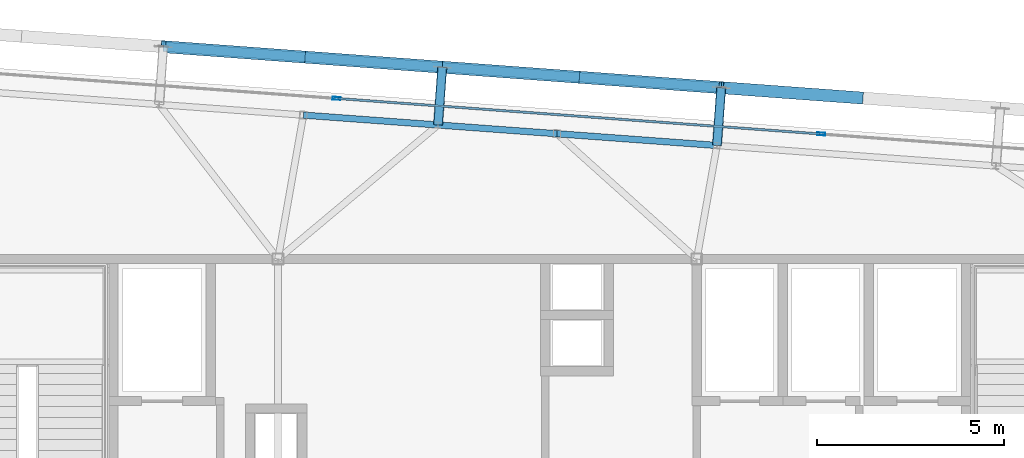
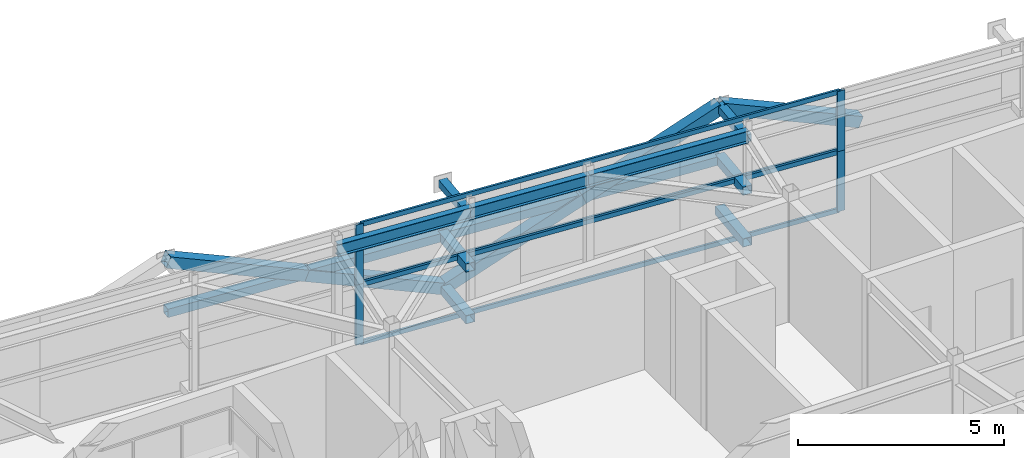
# One storey, part 21 of 35: 21 members, 3 beams, 2 elements without a shape of their own.
"""IFC4 building model written with IfcOpenShell, lengths in metres."""

from ifc_helpers import new_model, si_unit, direction, frame, origin, origin_2d, place, context, subcontext, project, spatial, hollow_rectangle, i_section, extrude, source, transform, mapped, material, layer, layer_set, material_profile, profile_set, type_object, element, aggregate, save


model = new_model("IFC4")

# Units and contexts
model_context = context("Model", 3, precision=1e-05, world=origin(), true_north=direction((0.0, 1.0)))
body_context = subcontext(model_context, "Body", "Model", "MODEL_VIEW")
ifc_project = project(units=[si_unit("LENGTHUNIT", "METRE"), si_unit("AREAUNIT", "SQUARE_METRE"), si_unit("VOLUMEUNIT", "CUBIC_METRE"), si_unit("PLANEANGLEUNIT", "RADIAN"), si_unit("MASSUNIT", "GRAM", prefix="KILO")], contexts=[model_context])

# Site, building, storey
site_placement = place(None, origin())
site = spatial("IfcSite", under=ifc_project, at=site_placement, CompositionType="ELEMENT")
building_placement = place(site_placement, origin())
building = spatial("IfcBuilding", under=site, at=building_placement, Name="Taldren Reach Tower", CompositionType="ELEMENT")
storey_placement = place(building_placement, frame((0.0, 0.0, 249.199951171875)))
storey = spatial("IfcBuildingStorey", under=building, at=storey_placement, Name="L76", CompositionType="ELEMENT", Elevation=249.199951171875)

# Members
ifc_material_1 = material(Name="Steel Gr 350 (C350L0)", Category="steel")
ifc_material_profile_1 = material_profile(ifc_material_1, hollow_rectangle(XDim=0.25, YDim=0.25, WallThickness=0.010009765625, at=origin_2d()), Name="250x250x10.0SHS")
ifc_profile_set_1 = profile_set([ifc_material_profile_1], Name="Steel Gr 350 (C350L0)")
member_type_1 = type_object("IfcMemberType", Name="MB-POST250", PredefinedType="POST", material=ifc_profile_set_1)
shared_shape_1 = source(origin(), body_context, "Body", "SweptSolid", [
    extrude(hollow_rectangle(XDim=0.25, YDim=0.25, WallThickness=0.010009765625, at=origin_2d()), origin(), (0.0, 0.0, 1.0), 1.550048828125),
])
for number, where, z_axis, x_axis, name in (
    (1, (32.279541015625, 35.583251953125, 0.219970703125), (0.07323929162, 0.997314396849, 0.0), (-0.997314396849, 0.07323929162, 0.0), "Exoskeleton base diaphragm tie strut B5-N3 L76"),
    (2, (39.739501953125, 35.035400390625, 0.219970703125), (0.07323929162, 0.997314396849, 0.0), (-0.997314396849, 0.07323929162, 0.0), "Exoskeleton base diaphragm tie strut B5-N4 L76"),
    (3, (32.279541015625, 35.583251953125, 1.755126953125), (0.07323929162, 0.997314396849, 0.0), (-0.997314396849, 0.07323929162, 0.0), "Exoskeleton mid-tier diaphragm tie B5-N3 L76"),
    (4, (39.739501953125, 35.035400390625, 1.755126953125), (0.07323929162, 0.997314396849, 0.0), (-0.997314396849, 0.07323929162, 0.0), "Exoskeleton mid-tier diaphragm tie B5-N4 L76"),
):
    element("IfcMember", number, at=place(storey_placement, frame(where, z_axis=z_axis, x_axis=x_axis)), inside=storey, type_object=member_type_1, Name=name, PredefinedType="POST", context=body_context, shape_type="MappedRepresentation", body=[
        mapped(shared_shape_1, transform((0.0, 0.0, 0.0), scale=1.0)),
    ])
ifc_material_2 = material(Name="Steel Gr 450 (C450L0)", Category="steel")
ifc_material_profile_2 = material_profile(ifc_material_2, hollow_rectangle(XDim=0.219970703125, YDim=0.219970703125, WallThickness=0.00830078125, at=origin_2d()), Name="220x220x8.2SHS")
ifc_profile_set_2 = profile_set([ifc_material_profile_2], Name="Steel Gr 450 (C450L0)")
member_type_2 = type_object("IfcMemberType", Name="MB-TIE219", PredefinedType="STRUT", material=ifc_profile_set_2)
shared_shape_2 = source(origin(), body_context, "Body", "SweptSolid", [
    extrude(hollow_rectangle(XDim=0.219970703125, YDim=0.219970703125, WallThickness=0.00830078125, at=origin_2d()), origin(), (0.0, 0.0, 1.0), 1.550048828125),
])
for number, where, z_axis, x_axis, name in (
    (5, (32.279541015625, 35.583251953125, 3.2900390625), (0.07323929162, 0.997314396849, 0.0), (-0.997314396849, 0.07323929162, 0.0), "Exoskeleton diaphragm tie strut B5-N3 L76"),
    (6, (39.739501953125, 35.035400390625, 3.2900390625), (0.07323929162, 0.997314396849, 0.0), (-0.997314396849, 0.07323929162, 0.0), "Exoskeleton diaphragm tie strut B5-N4 L76"),
):
    element("IfcMember", number, at=place(storey_placement, frame(where, z_axis=z_axis, x_axis=x_axis)), inside=storey, type_object=member_type_2, Name=name, PredefinedType="STRUT", context=body_context, shape_type="MappedRepresentation", body=[
        mapped(shared_shape_2, transform((0.0, 0.0, 0.0), scale=1.0)),
    ])

# Beams
ifc_material_3 = material(Name="Steel Gr 350 (350PLUS)", Category="steel")
ifc_material_profile_3 = material_profile(ifc_material_3, i_section(OverallWidth=0.172119140625, OverallDepth=0.35888671875, WebThickness=0.008056640625, FlangeThickness=0.012939453125, at=origin_2d()), Name="360UB56.7")
ifc_profile_set_3 = profile_set([ifc_material_profile_3], Name="Steel Gr 350 (350PLUS)")
beam_type = type_object("IfcBeamType", Name="SP-UB360", PredefinedType="SPANDREL", material=ifc_profile_set_3)
shared_shape_3 = source(origin(), body_context, "Body", "SweptSolid", [
    extrude(i_section(OverallWidth=0.172119140625, OverallDepth=0.35888671875, WebThickness=0.008056640625, FlangeThickness=0.012939453125, at=origin_2d()), origin(), (0.0, 0.0, 1.0), 4.2900390625),
])
beam_1_placement = place(storey_placement, frame((39.739501953125, 35.035400390625, 3.390625), z_axis=(-0.997314292471, 0.073240712948, 0.0), x_axis=(-0.073240712948, -0.997314292471, 0.0)))
element("IfcBeam", 7, at=beam_1_placement, inside=storey, type_object=beam_type, Name="Perimeter spandrel B5 N4-PJN2 L76", PredefinedType="SPANDREL", context=body_context, shape_type="MappedRepresentation", body=[
    mapped(shared_shape_3, transform((0.0, 0.0, 0.0), scale=1.0)),
])
shared_shape_4 = source(origin(), body_context, "Body", "SweptSolid", [
    extrude(i_section(OverallWidth=0.172119140625, OverallDepth=0.35888671875, WebThickness=0.008056640625, FlangeThickness=0.012939453125, at=origin_2d()), origin(), (0.0, 0.0, 1.0), 3.18994140625),
])
beam_2_placement = place(storey_placement, frame((35.4609375, 35.349609375, 3.390625), z_axis=(-0.99731412404, 0.073243006424, 0.0), x_axis=(-0.073243006424, -0.99731412404, 0.0)))
element("IfcBeam", 8, at=beam_2_placement, inside=storey, type_object=beam_type, Name="Perimeter spandrel B5 PJN2-N3 L76", PredefinedType="SPANDREL", context=body_context, shape_type="MappedRepresentation", body=[
    mapped(shared_shape_4, transform((0.0, 0.0, 0.0), scale=1.0)),
])
shared_shape_5 = source(origin(), body_context, "Body", "SweptSolid", [
    extrude(i_section(OverallWidth=0.172119140625, OverallDepth=0.35888671875, WebThickness=0.008056640625, FlangeThickness=0.012939453125, at=origin_2d()), origin(), (0.0, 0.0, 1.0), 3.610107421875),
])
beam_3_placement = place(storey_placement, frame((32.279541015625, 35.583251953125, 3.390625), z_axis=(-0.997314240042, 0.073241426864, 0.0), x_axis=(-0.073241426864, -0.997314240042, 0.0)))
element("IfcBeam", 9, at=beam_3_placement, inside=storey, type_object=beam_type, Name="Perimeter spandrel B5 N3-PJN1 L76", PredefinedType="SPANDREL", context=body_context, shape_type="MappedRepresentation", body=[
    mapped(shared_shape_5, transform((0.0, 0.0, 0.0), scale=1.0)),
])

# Members
shared_shape_6 = source(origin(), body_context, "Body", "SweptSolid", [
    extrude(hollow_rectangle(XDim=0.25, YDim=0.25, WallThickness=0.010009765625, at=origin_2d()), origin(), (0.0, 0.0, 1.0), 7.47998046875),
])
for number, where, z_axis, x_axis, name in (
    (10, (24.93310546875, 37.677001953125, 1.755126953125), (0.997314220642, -0.07324169103, 0.0), (0.07324169103, 0.997314220642, 0.0), "Exoskeleton mid-height ring chord B5-N2 L76"),
    (11, (32.39306640625, 37.129150390625, 1.755126953125), (0.997314220642, -0.07324169103, 0.0), (0.07324169103, 0.997314220642, 0.0), "Exoskeleton mid-height ring chord B5-N3 L76"),
):
    element("IfcMember", number, at=place(storey_placement, frame(where, z_axis=z_axis, x_axis=x_axis)), inside=storey, type_object=member_type_1, Name=name, PredefinedType="POST", context=body_context, shape_type="MappedRepresentation", body=[
        mapped(shared_shape_6, transform((0.0, 0.0, 0.0), scale=1.0)),
    ])
ifc_material_profile_4 = material_profile(ifc_material_2, hollow_rectangle(XDim=0.324951171875, YDim=0.324951171875, WallThickness=0.0126953125, at=origin_2d()), Name="325x325x12.7SHS")
ifc_profile_set_4 = profile_set([ifc_material_profile_4], Name="Steel Gr 450 (C450L0)")
member_type_3 = type_object("IfcMemberType", Name="MB-BR324", PredefinedType="BRACE", material=ifc_profile_set_4)
shared_shape_7 = source(origin(), body_context, "Body", "SweptSolid", [
    extrude(hollow_rectangle(XDim=0.324951171875, YDim=0.324951171875, WallThickness=0.0126953125, at=origin_2d()), origin(), (0.0, 0.0, 1.0), 4.042724609375),
])
for number, where, z_axis, x_axis, name in (
    (12, (32.39306640625, 37.129150390625, 0.219970703125), (-0.922615641565, 0.067755907176, 0.37972294503), (-0.07324169103, -0.997314220642, 0.0), "Exoskeleton Diagrid Brace B5-N2 L76"),
    (13, (28.6630859375, 37.403076171875, 1.755126953125), (-0.92263679702, 0.06775746081, 0.379671262133), (-0.07324169103, -0.997314220642, 0.0), "Exoskeleton Diagrid Brace B5-N2 L76"),
    (14, (32.39306640625, 37.129150390625, 0.219970703125), (0.922615641565, -0.067755907176, 0.37972294503), (0.07324169103, 0.997314220642, 0.0), "Exoskeleton Diagrid Brace B5-N3 L76"),
    (15, (36.123046875, 36.855224609375, 1.755126953125), (0.92263679702, -0.06775746081, 0.379671262133), (0.07324169103, 0.997314220642, 0.0), "Exoskeleton Diagrid Brace B5-N3 L76"),
    (16, (43.5830078125, 36.307373046875, 1.755126953125), (-0.92263679702, 0.06775746081, 0.379671262133), (-0.07324169103, -0.997314220642, 0.0), "Exoskeleton Diagrid Brace B5-N4 L76"),
):
    element("IfcMember", number, at=place(storey_placement, frame(where, z_axis=z_axis, x_axis=x_axis)), inside=storey, type_object=member_type_3, Name=name, PredefinedType="BRACE", context=body_context, shape_type="MappedRepresentation", body=[
        mapped(shared_shape_7, transform((0.0, 0.0, 0.0), scale=1.0)),
    ])

# Curtain wall, members
ifc_material_4 = material(Name="Aluminium and Low-E Glass Unitised System", Category="aluminium")
ifc_layer = layer(ifc_material_4, 0.159912109375)
ifc_layer_set = layer_set([ifc_layer], Name="Aluminium and Low-E Glass Unitised System")
curtain_wall_type = type_object("IfcCurtainWallType", Name="CW-SYS-6", PredefinedType="NOTDEFINED", material=ifc_layer_set)
curtain_wall_1_placement = place(storey_placement, origin())
curtain_wall_1 = element("IfcCurtainWall", 17, at=curtain_wall_1_placement, inside=storey, type_object=curtain_wall_type, Name="Unitised curtain wall CW-L76-N", PredefinedType="NOTDEFINED")
ifc_material_5 = material(Name="Anodised Aluminium 6063-T6", Category="aluminium")
ifc_material_profile_5 = material_profile(ifc_material_5, hollow_rectangle(XDim=0.06005859375, YDim=0.135009765625, WallThickness=0.00341796875, at=origin_2d()), Name="ALU-135x60x3.5RHS")
ifc_profile_set_5 = profile_set([ifc_material_profile_5], Name="Anodised Aluminium 6063-T6")
member_type_4 = type_object("IfcMemberType", Name="CW-TRN-150", PredefinedType="USERDEFINED", material=ifc_profile_set_5)
shared_shape_8 = source(origin(), body_context, "Body", "SweptSolid", [
    extrude(hollow_rectangle(XDim=0.06005859375, YDim=0.135009765625, WallThickness=0.00341796875, at=origin_2d()), origin(), (0.0, 0.0, 1.0), 12.9248046875),
])
member_1_placement = place(storey_placement, frame((42.491943359375, 35.3447265625, 0.030029296875), z_axis=(-0.997314812144, 0.073233636249, 0.0), x_axis=(-0.073233636249, -0.997314812144, 0.0)))
member_1 = element("IfcMember", 18, at=member_1_placement, type_object=member_type_4, Name="CW-6 transom 2.1", ObjectType="TRANSOM", PredefinedType="USERDEFINED", context=body_context, shape_type="MappedRepresentation", body=[
    mapped(shared_shape_8, transform((0.0, 0.0, 0.0), scale=1.0)),
])
member_2_placement = place(storey_placement, frame((42.491943359375, 35.3447265625, 1.755126953125), z_axis=(-0.997314812144, 0.073233636249, 0.0), x_axis=(-0.073233636249, -0.997314812144, 0.0)))
member_2 = element("IfcMember", 19, at=member_2_placement, type_object=member_type_4, Name="CW-6 transom 2.2", ObjectType="TRANSOM", PredefinedType="USERDEFINED", context=body_context, shape_type="MappedRepresentation", body=[
    mapped(shared_shape_8, transform((0.0, 0.0, 0.0), scale=1.0)),
])

curtain_wall_2_placement = place(storey_placement, origin())
curtain_wall_2 = element("IfcCurtainWall", 20, at=curtain_wall_2_placement, inside=storey, type_object=curtain_wall_type, Name="Unitised curtain wall CW-L76-N-T2", PredefinedType="NOTDEFINED")
member_3_placement = place(storey_placement, frame((42.491943359375, 35.3447265625, 1.81494140625), z_axis=(-0.997314812144, 0.073233636249, 0.0), x_axis=(-0.073233636249, -0.997314812144, 0.0)))
member_3 = element("IfcMember", 21, at=member_3_placement, type_object=member_type_4, Name="CW-6 transom 2.1", ObjectType="TRANSOM", PredefinedType="USERDEFINED", context=body_context, shape_type="MappedRepresentation", body=[
    mapped(shared_shape_8, transform((0.0, 0.0, 0.0), scale=1.0)),
])
member_4_placement = place(storey_placement, frame((42.491943359375, 35.3447265625, 3.5400390625), z_axis=(-0.997314812144, 0.073233636249, 0.0), x_axis=(-0.073233636249, -0.997314812144, 0.0)))
member_4 = element("IfcMember", 22, at=member_4_placement, type_object=member_type_4, Name="CW-6 transom 2.2", ObjectType="TRANSOM", PredefinedType="USERDEFINED", context=body_context, shape_type="MappedRepresentation", body=[
    mapped(shared_shape_8, transform((0.0, 0.0, 0.0), scale=1.0)),
])

# Member
ifc_material_profile_6 = material_profile(ifc_material_5, hollow_rectangle(XDim=0.074951171875, YDim=0.2099609375, WallThickness=0.00439453125, at=origin_2d()), Name="ALU-210x75x4.5RHS")
ifc_profile_set_6 = profile_set([ifc_material_profile_6], Name="Anodised Aluminium 6063-T6")
member_type_5 = type_object("IfcMemberType", Name="CW-MUL-200", PredefinedType="MULLION", material=ifc_profile_set_6)
shared_shape_9 = source(origin(), body_context, "Body", "SweptSolid", [
    extrude(hollow_rectangle(XDim=0.074951171875, YDim=0.2099609375, WallThickness=0.00439453125, at=origin_2d()), origin(), (0.0, 0.0, 1.0), 1.78515625),
])
member_5_placement = place(storey_placement, frame((42.529541015625, 35.341796875, 0.0), z_axis=(0.0, 0.0, 1.0), x_axis=(-0.073238213716, -0.997314476006, 0.0)))
member_5 = element("IfcMember", 23, at=member_5_placement, type_object=member_type_5, Name="CW-6 mullion 2", PredefinedType="MULLION", context=body_context, shape_type="MappedRepresentation", body=[
    mapped(shared_shape_9, transform((0.0, 0.0, 0.0), scale=1.0)),
])

member_6_placement = place(storey_placement, frame((29.564453125, 36.2939453125, 0.0), z_axis=(0.0, 0.0, 1.0), x_axis=(-0.073238213716, -0.997314476006, 0.0)))
member_6 = element("IfcMember", 24, at=member_6_placement, type_object=member_type_5, Name="CW-6 mullion 3", PredefinedType="MULLION", context=body_context, shape_type="MappedRepresentation", body=[
    mapped(shared_shape_9, transform((0.0, 0.0, 0.0), scale=1.0)),
])

aggregate(curtain_wall_1, [member_5, member_6, member_1, member_2])

shared_shape_10 = source(origin(), body_context, "Body", "SweptSolid", [
    extrude(hollow_rectangle(XDim=0.074951171875, YDim=0.2099609375, WallThickness=0.00439453125, at=origin_2d()), origin(), (0.0, 0.0, 1.0), 1.784912109375),
])
member_7_placement = place(storey_placement, frame((42.529541015625, 35.341796875, 1.78515625), z_axis=(0.0, 0.0, 1.0), x_axis=(-0.073238213716, -0.997314476006, 0.0)))
member_7 = element("IfcMember", 25, at=member_7_placement, type_object=member_type_5, Name="CW-6 mullion 2", PredefinedType="MULLION", context=body_context, shape_type="MappedRepresentation", body=[
    mapped(shared_shape_10, transform((0.0, 0.0, 0.0), scale=1.0)),
])

member_8_placement = place(storey_placement, frame((29.564453125, 36.2939453125, 1.78515625), z_axis=(0.0, 0.0, 1.0), x_axis=(-0.073238213716, -0.997314476006, 0.0)))
member_8 = element("IfcMember", 26, at=member_8_placement, type_object=member_type_5, Name="CW-6 mullion 3", PredefinedType="MULLION", context=body_context, shape_type="MappedRepresentation", body=[
    mapped(shared_shape_10, transform((0.0, 0.0, 0.0), scale=1.0)),
])

aggregate(curtain_wall_2, [member_7, member_8, member_3, member_4])

save(model, "model.ifc")
